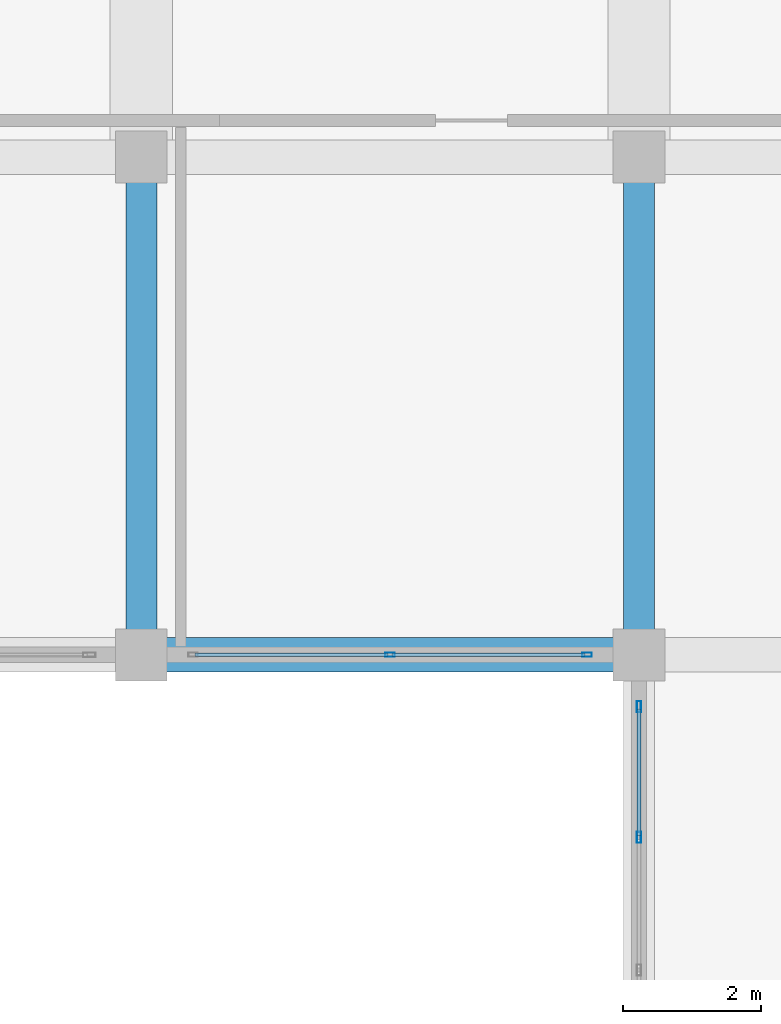
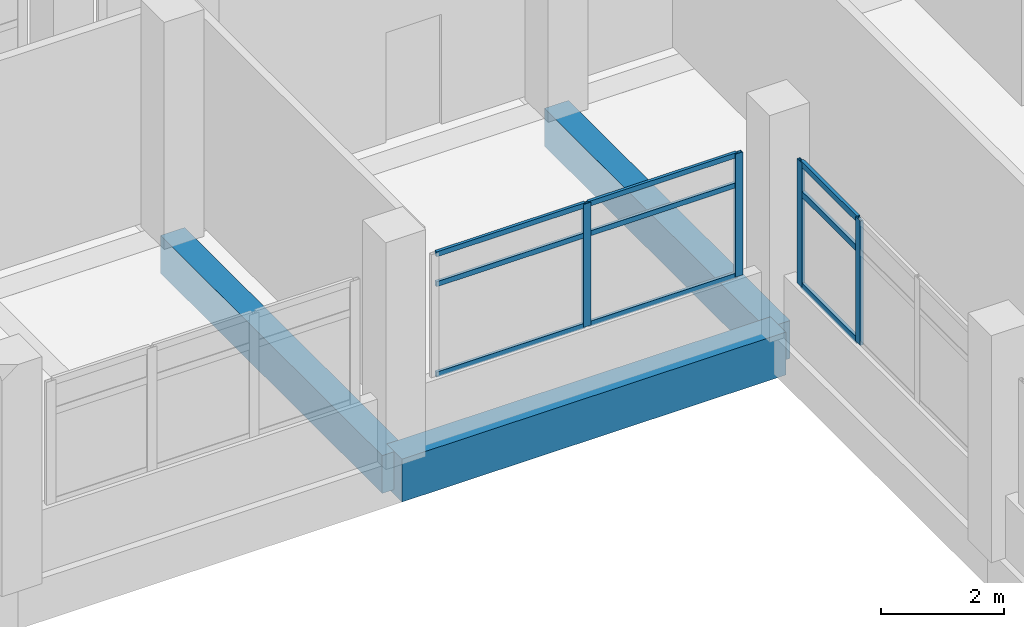
# One storey, part 84 of 141: 13 members, 3 beams, 2 elements without a shape of their own.
"""IFC4 building model written with IfcOpenShell, lengths in metres."""

from ifc_helpers import new_model, si_unit, direction, frame, origin, origin_2d, place, context, subcontext, project, spatial, rectangle, hollow_rectangle, extrude, material, layer, layer_set, material_profile, profile_set, type_object, element, aggregate, save


model = new_model("IFC4")

# Units and contexts
model_context = context("Model", 3, precision=1e-05, world=origin(), true_north=direction((0.0, 1.0)))
body_context = subcontext(model_context, "Body", "Model", "MODEL_VIEW")
ifc_project = project(units=[si_unit("LENGTHUNIT", "METRE"), si_unit("AREAUNIT", "SQUARE_METRE"), si_unit("VOLUMEUNIT", "CUBIC_METRE"), si_unit("PLANEANGLEUNIT", "RADIAN"), si_unit("MASSUNIT", "GRAM", prefix="KILO")], contexts=[model_context])

# Site, building, storey
site_placement = place(None, origin())
site = spatial("IfcSite", under=ifc_project, at=site_placement, CompositionType="ELEMENT")
building_placement = place(site_placement, origin())
building = spatial("IfcBuilding", under=site, at=building_placement, Name="Seraya Terrace Polytechnic", CompositionType="ELEMENT")
storey_placement = place(building_placement, frame((0.0, 0.0, 14.39990234375)))
storey = spatial("IfcBuildingStorey", under=building, at=storey_placement, Name="L03", CompositionType="ELEMENT", Elevation=14.39990234375)

# Beams
ifc_material_1 = material(Name="Concrete C40/50", Category="concrete")
ifc_material_profile_1 = material_profile(ifc_material_1, rectangle(XDim=0.5, YDim=0.85009765625, at=origin_2d()), Name="RC 500x850")
ifc_profile_set_1 = profile_set([ifc_material_profile_1], Name="Concrete C40/50")
beam_type_1 = type_object("IfcBeamType", Name="BM-05", PredefinedType="BEAM", material=ifc_profile_set_1)
beam_placement = place(storey_placement, frame((72.0, 64.800048828125, -0.4248046875), z_axis=(1.0, 0.0, 0.0), x_axis=(0.0, 1.0, 0.0)))
element("IfcBeam", 1, at=beam_placement, inside=storey, type_object=beam_type_1, Name="Beam BM-05 L03 X (72.0..79.2, 64.8)", PredefinedType="BEAM", context=body_context, shape_type="SweptSolid", body=[
    extrude(rectangle(XDim=0.5, YDim=0.85009765625, at=origin_2d()), origin(), (0.0, 0.0, 1.0), 7.199951171875),
])
ifc_material_profile_2 = material_profile(ifc_material_1, rectangle(XDim=0.449951171875, YDim=0.75, at=origin_2d()), Name="RC 450x750")
ifc_profile_set_2 = profile_set([ifc_material_profile_2], Name="Concrete C40/50")
beam_type_2 = type_object("IfcBeamType", Name="BM-08", PredefinedType="BEAM", material=ifc_profile_set_2)
for number, where, z_axis, x_axis, name in (
    (2, (72.0, 64.800048828125, -0.375), (0.0, 1.0, 0.0), (-1.0, 0.0, 0.0), "Beam BM-08 L03 Y (72.0, 64.8..72.0)"),
    (3, (79.199951171875, 64.800048828125, -0.375), (0.0, 1.0, 0.0), (-1.0, 0.0, 0.0), "Beam BM-08 L03 Y (79.2, 64.8..72.0)"),
):
    element("IfcBeam", number, at=place(storey_placement, frame(where, z_axis=z_axis, x_axis=x_axis)), inside=storey, type_object=beam_type_2, Name=name, PredefinedType="BEAM", context=body_context, shape_type="SweptSolid", body=[
        extrude(rectangle(XDim=0.449951171875, YDim=0.75, at=origin_2d()), origin(), (0.0, 0.0, 1.0), 7.199951171875),
    ])

# Curtain wall, members
ifc_material_2 = material(Name="Anodised aluminium EN AW-6063 T6", Category="aluminium")
ifc_layer_1 = layer(ifc_material_2, 0.179931640625, Name="CW-32")
ifc_layer_set_1 = layer_set([ifc_layer_1], Name="Anodised aluminium EN AW-6063 T6")
curtain_wall_type_1 = type_object("IfcCurtainWallType", Name="CW-32", PredefinedType="NOTDEFINED", material=ifc_layer_set_1)
curtain_wall_1_placement = place(storey_placement, origin())
curtain_wall_1 = element("IfcCurtainWall", 4, at=curtain_wall_1_placement, inside=storey, type_object=curtain_wall_type_1, Name="Unitised curtain wall CW-32 (CW-L03-140)", PredefinedType="NOTDEFINED")
ifc_material_profile_3 = material_profile(ifc_material_2, hollow_rectangle(XDim=0.06005859375, YDim=0.159912109375, WallThickness=0.00341796875, at=origin_2d()), Name="RHS 160x60x3.5")
ifc_profile_set_3 = profile_set([ifc_material_profile_3], Name="Anodised aluminium EN AW-6063 T6")
member_type_1 = type_object("IfcMemberType", Name="CWM-02", PredefinedType="MULLION", material=ifc_profile_set_3)
member_1_placement = place(storey_placement, frame((79.199951171875, 62.159912109375, 1.239990234375), z_axis=(0.0, 0.0, 1.0), x_axis=(-1.0, 0.0, 0.0)))
member_1 = element("IfcMember", 5, at=member_1_placement, type_object=member_type_1, Name="CW-32 mullion 3", PredefinedType="MULLION", context=body_context, shape_type="SweptSolid", body=[
    extrude(hollow_rectangle(XDim=0.06005859375, YDim=0.159912109375, WallThickness=0.00341796875, at=origin_2d()), origin(), (0.0, 0.0, 1.0), 2.47021484375),
])
member_2_placement = place(storey_placement, frame((79.199951171875, 64.050048828125, 1.239990234375), z_axis=(0.0, 0.0, 1.0), x_axis=(-1.0, 0.0, 0.0)))
member_2 = element("IfcMember", 6, at=member_2_placement, type_object=member_type_1, Name="CW-32 mullion 4", PredefinedType="MULLION", context=body_context, shape_type="SweptSolid", body=[
    extrude(hollow_rectangle(XDim=0.06005859375, YDim=0.159912109375, WallThickness=0.00341796875, at=origin_2d()), origin(), (0.0, 0.0, 1.0), 2.47021484375),
])

ifc_layer_2 = layer(ifc_material_2, 0.179931640625, Name="CW-33")
ifc_layer_set_2 = layer_set([ifc_layer_2], Name="Anodised aluminium EN AW-6063 T6")
curtain_wall_type_2 = type_object("IfcCurtainWallType", Name="CW-33", PredefinedType="NOTDEFINED", material=ifc_layer_set_2)
curtain_wall_2_placement = place(storey_placement, origin())
curtain_wall_2 = element("IfcCurtainWall", 7, at=curtain_wall_2_placement, inside=storey, type_object=curtain_wall_type_2, Name="Unitised curtain wall CW-33 (CW-L03-141)", PredefinedType="NOTDEFINED")
ifc_material_profile_4 = material_profile(ifc_material_2, hollow_rectangle(XDim=0.06005859375, YDim=0.139892578125, WallThickness=0.00341796875, at=origin_2d()), Name="RHS 140x60x3.5")
ifc_profile_set_4 = profile_set([ifc_material_profile_4], Name="Anodised aluminium EN AW-6063 T6")
member_type_2 = type_object("IfcMemberType", Name="CWM-03", PredefinedType="MULLION", material=ifc_profile_set_4)
member_3_placement = place(storey_placement, frame((78.449951171875, 64.800048828125, 1.239990234375), z_axis=(0.0, 0.0, 1.0), x_axis=(0.0, -1.0, 0.0)))
member_3 = element("IfcMember", 8, at=member_3_placement, type_object=member_type_2, Name="CW-33 mullion 1", PredefinedType="MULLION", context=body_context, shape_type="SweptSolid", body=[
    extrude(hollow_rectangle(XDim=0.06005859375, YDim=0.139892578125, WallThickness=0.00341796875, at=origin_2d()), origin(), (0.0, 0.0, 1.0), 2.440185546875),
])
member_4_placement = place(storey_placement, frame((75.60009765625, 64.800048828125, 1.239990234375), z_axis=(0.0, 0.0, 1.0), x_axis=(0.0, -1.0, 0.0)))
member_4 = element("IfcMember", 9, at=member_4_placement, type_object=member_type_2, Name="CW-33 mullion 2", PredefinedType="MULLION", context=body_context, shape_type="SweptSolid", body=[
    extrude(hollow_rectangle(XDim=0.06005859375, YDim=0.139892578125, WallThickness=0.00341796875, at=origin_2d()), origin(), (0.0, 0.0, 1.0), 2.440185546875),
])

# Member
ifc_material_profile_5 = material_profile(ifc_material_2, hollow_rectangle(XDim=0.06005859375, YDim=0.1201171875, WallThickness=0.003173828125, at=origin_2d()), Name="RHS 120x60x3.2")
ifc_profile_set_5 = profile_set([ifc_material_profile_5], Name="Anodised aluminium EN AW-6063 T6")
member_type_3 = type_object("IfcMemberType", Name="CWT-02", PredefinedType="USERDEFINED", material=ifc_profile_set_5)
member_5_placement = place(storey_placement, frame((79.199951171875, 62.18994140625, 1.27001953125), z_axis=(0.0, 1.0, 0.0), x_axis=(-1.0, 0.0, 0.0)))
member_5 = element("IfcMember", 10, at=member_5_placement, type_object=member_type_3, Name="CW-32 transom 3.1", ObjectType="TRANSOM", PredefinedType="USERDEFINED", context=body_context, shape_type="SweptSolid", body=[
    extrude(hollow_rectangle(XDim=0.06005859375, YDim=0.1201171875, WallThickness=0.003173828125, at=origin_2d()), origin(), (0.0, 0.0, 1.0), 1.830078125),
])

member_6_placement = place(storey_placement, frame((79.199951171875, 62.18994140625, 3.090087890625), z_axis=(0.0, 1.0, 0.0), x_axis=(-1.0, 0.0, 0.0)))
member_6 = element("IfcMember", 11, at=member_6_placement, type_object=member_type_3, Name="CW-32 transom 3.2", ObjectType="TRANSOM", PredefinedType="USERDEFINED", context=body_context, shape_type="SweptSolid", body=[
    extrude(hollow_rectangle(XDim=0.06005859375, YDim=0.1201171875, WallThickness=0.003173828125, at=origin_2d()), origin(), (0.0, 0.0, 1.0), 1.830078125),
])

member_7_placement = place(storey_placement, frame((79.199951171875, 62.18994140625, 3.68017578125), z_axis=(0.0, 1.0, 0.0), x_axis=(-1.0, 0.0, 0.0)))
member_7 = element("IfcMember", 12, at=member_7_placement, type_object=member_type_3, Name="CW-32 transom 3.3", ObjectType="TRANSOM", PredefinedType="USERDEFINED", context=body_context, shape_type="SweptSolid", body=[
    extrude(hollow_rectangle(XDim=0.06005859375, YDim=0.1201171875, WallThickness=0.003173828125, at=origin_2d()), origin(), (0.0, 0.0, 1.0), 1.830078125),
])

aggregate(curtain_wall_1, [member_1, member_2, member_5, member_6, member_7])

ifc_material_profile_6 = material_profile(ifc_material_2, hollow_rectangle(XDim=0.054931640625, YDim=0.10009765625, WallThickness=0.0029296875, at=origin_2d()), Name="RHS 100x55x3.0")
ifc_profile_set_6 = profile_set([ifc_material_profile_6], Name="Anodised aluminium EN AW-6063 T6")
member_type_4 = type_object("IfcMemberType", Name="CWT-03", PredefinedType="USERDEFINED", material=ifc_profile_set_6)
member_8_placement = place(storey_placement, frame((78.419921875, 64.800048828125, 1.267578125), z_axis=(-1.0, 0.0, 0.0), x_axis=(0.0, -1.0, 0.0)))
member_8 = element("IfcMember", 13, at=member_8_placement, type_object=member_type_4, Name="CW-33 transom 1.1", ObjectType="TRANSOM", PredefinedType="USERDEFINED", context=body_context, shape_type="SweptSolid", body=[
    extrude(hollow_rectangle(XDim=0.054931640625, YDim=0.10009765625, WallThickness=0.0029296875, at=origin_2d()), origin(), (0.0, 0.0, 1.0), 2.7900390625),
])

member_9_placement = place(storey_placement, frame((78.419921875, 64.800048828125, 3.06005859375), z_axis=(-1.0, 0.0, 0.0), x_axis=(0.0, -1.0, 0.0)))
member_9 = element("IfcMember", 14, at=member_9_placement, type_object=member_type_4, Name="CW-33 transom 1.2", ObjectType="TRANSOM", PredefinedType="USERDEFINED", context=body_context, shape_type="SweptSolid", body=[
    extrude(hollow_rectangle(XDim=0.054931640625, YDim=0.10009765625, WallThickness=0.0029296875, at=origin_2d()), origin(), (0.0, 0.0, 1.0), 2.7900390625),
])

member_10_placement = place(storey_placement, frame((78.419921875, 64.800048828125, 3.652587890625), z_axis=(-1.0, 0.0, 0.0), x_axis=(0.0, -1.0, 0.0)))
member_10 = element("IfcMember", 15, at=member_10_placement, type_object=member_type_4, Name="CW-33 transom 1.3", ObjectType="TRANSOM", PredefinedType="USERDEFINED", context=body_context, shape_type="SweptSolid", body=[
    extrude(hollow_rectangle(XDim=0.054931640625, YDim=0.10009765625, WallThickness=0.0029296875, at=origin_2d()), origin(), (0.0, 0.0, 1.0), 2.7900390625),
])

member_11_placement = place(storey_placement, frame((75.570068359375, 64.800048828125, 1.267578125), z_axis=(-1.0, 0.0, 0.0), x_axis=(0.0, -1.0, 0.0)))
member_11 = element("IfcMember", 16, at=member_11_placement, type_object=member_type_4, Name="CW-33 transom 2.1", ObjectType="TRANSOM", PredefinedType="USERDEFINED", context=body_context, shape_type="SweptSolid", body=[
    extrude(hollow_rectangle(XDim=0.054931640625, YDim=0.10009765625, WallThickness=0.0029296875, at=origin_2d()), origin(), (0.0, 0.0, 1.0), 2.7900390625),
])

member_12_placement = place(storey_placement, frame((75.570068359375, 64.800048828125, 3.06005859375), z_axis=(-1.0, 0.0, 0.0), x_axis=(0.0, -1.0, 0.0)))
member_12 = element("IfcMember", 17, at=member_12_placement, type_object=member_type_4, Name="CW-33 transom 2.2", ObjectType="TRANSOM", PredefinedType="USERDEFINED", context=body_context, shape_type="SweptSolid", body=[
    extrude(hollow_rectangle(XDim=0.054931640625, YDim=0.10009765625, WallThickness=0.0029296875, at=origin_2d()), origin(), (0.0, 0.0, 1.0), 2.7900390625),
])

member_13_placement = place(storey_placement, frame((75.570068359375, 64.800048828125, 3.652587890625), z_axis=(-1.0, 0.0, 0.0), x_axis=(0.0, -1.0, 0.0)))
member_13 = element("IfcMember", 18, at=member_13_placement, type_object=member_type_4, Name="CW-33 transom 2.3", ObjectType="TRANSOM", PredefinedType="USERDEFINED", context=body_context, shape_type="SweptSolid", body=[
    extrude(hollow_rectangle(XDim=0.054931640625, YDim=0.10009765625, WallThickness=0.0029296875, at=origin_2d()), origin(), (0.0, 0.0, 1.0), 2.7900390625),
])

aggregate(curtain_wall_2, [member_3, member_4, member_8, member_9, member_10, member_11, member_12, member_13])

save(model, "model.ifc")
